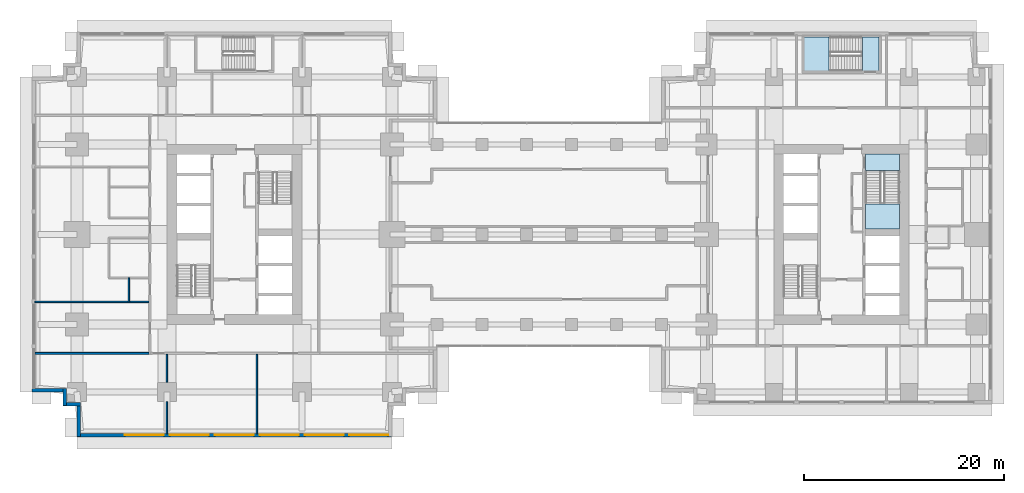
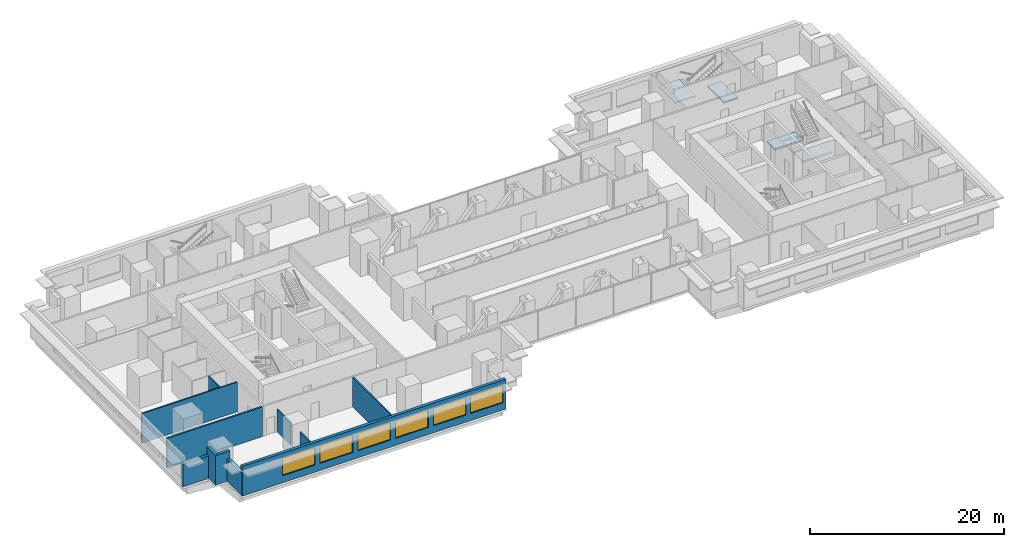
# One storey, part 6 of 15: 11 walls, 6 windows, 4 slabs, 6 openings, 2 elements without a shape of their own.
"""IFC4 building model written with IfcOpenShell, lengths in metres."""

from ifc_helpers import new_model, si_unit, direction, frame, frame_2d, origin, place, context, subcontext, project, spatial, polyline, rectangle, outline, extrude, material, layer, layer_set, type_object, element, fill, aggregate, save


model = new_model("IFC4")

# Units and contexts
model_context = context("Model", 3, precision=1e-05, world=origin(), true_north=direction((0.0, 1.0)))
body_context = subcontext(model_context, "Body", "Model", "MODEL_VIEW")
ifc_project = project(units=[si_unit("LENGTHUNIT", "METRE"), si_unit("AREAUNIT", "SQUARE_METRE"), si_unit("VOLUMEUNIT", "CUBIC_METRE"), si_unit("PLANEANGLEUNIT", "RADIAN"), si_unit("MASSUNIT", "GRAM", prefix="KILO")], contexts=[model_context])

# Site, building, storey
site_placement = place(None, origin())
site = spatial("IfcSite", under=ifc_project, at=site_placement, CompositionType="ELEMENT")
building_placement = place(site_placement, origin())
building = spatial("IfcBuilding", under=site, at=building_placement, Name="Namib Vertical Campus", CompositionType="ELEMENT")
storey_placement = place(building_placement, frame((0.0, 0.0, 109.0)))
storey = spatial("IfcBuildingStorey", under=building, at=storey_placement, Name="L25", CompositionType="ELEMENT", Elevation=109.0)

# Stair, slabs
ifc_material_1 = material(Name="Concrete C40/50 precast", Category="concrete")
stair_type = type_object("IfcStairType", Name="Exit stair 4000 rise 24 risers 3400 wide", PredefinedType="HALF_TURN_STAIR", material=ifc_material_1)
stair_1_placement = place(storey_placement, origin())
stair_1 = element("IfcStair", 1, at=stair_1_placement, inside=storey, type_object=stair_type, Name="Exit stair B-S2 L25", PredefinedType="HALF_TURN_STAIR")
ifc_material_2 = material(Name="Concrete C40/50", Category="concrete")
ifc_layer_1 = layer(ifc_material_2, 0.199951171875)
ifc_layer_set_1 = layer_set([ifc_layer_1], Name="Concrete C40/50")
slab_type = type_object("IfcSlabType", Name="Stair landing 200", PredefinedType="LANDING", material=ifc_layer_set_1)
slab_1_placement = place(storey_placement, frame((0.0, 0.0, -0.199951171875)))
slab_1 = element("IfcSlab", 2, at=slab_1_placement, type_object=slab_type, Name="B-S2 landing 1", PredefinedType="LANDING", context=body_context, shape_type="SweptSolid", body=[
    extrude(outline(polyline([(83.39990234375, 26.64599609375), (86.800048828125, 26.64599609375), (86.800048828125, 28.300048828125), (83.39990234375, 28.300048828125), (83.39990234375, 26.64599609375)])), origin(), (0.0, 0.0, 1.0), 0.199951171875),
])
slab_2_placement = place(storey_placement, frame((0.0, 0.0, 1.800048828125)))
slab_2 = element("IfcSlab", 3, at=slab_2_placement, type_object=slab_type, Name="B-S2 landing 2", PredefinedType="LANDING", context=body_context, shape_type="SweptSolid", body=[
    extrude(outline(polyline([(83.39990234375, 20.800048828125), (86.800048828125, 20.800048828125), (86.800048828125, 23.27392578125), (83.39990234375, 23.27392578125), (83.39990234375, 20.800048828125)])), origin(), (0.0, 0.0, 1.0), 0.199951171875),
])
aggregate(stair_1, [slab_1, slab_2])

stair_2_placement = place(storey_placement, origin())
stair_2 = element("IfcStair", 4, at=stair_2_placement, inside=storey, type_object=stair_type, Name="Exit stair B-S3 L25", PredefinedType="HALF_TURN_STAIR")
slab_3_placement = place(storey_placement, frame((0.0, 0.0, -0.199951171875)))
slab_3 = element("IfcSlab", 5, at=slab_3_placement, type_object=slab_type, Name="B-S3 landing 1", PredefinedType="LANDING", context=body_context, shape_type="SweptSolid", body=[
    extrude(outline(polyline([(83.09619140625, 36.60009765625), (83.09619140625, 40.0), (84.75, 40.0), (84.75, 36.60009765625), (83.09619140625, 36.60009765625)])), origin(), (0.0, 0.0, 1.0), 0.199951171875),
])
slab_4_placement = place(storey_placement, frame((0.0, 0.0, 1.800048828125)))
slab_4 = element("IfcSlab", 6, at=slab_4_placement, type_object=slab_type, Name="B-S3 landing 2", PredefinedType="LANDING", context=body_context, shape_type="SweptSolid", body=[
    extrude(outline(polyline([(77.25, 36.60009765625), (77.25, 40.0), (79.723876953125, 40.0), (79.723876953125, 36.60009765625), (77.25, 36.60009765625)])), origin(), (0.0, 0.0, 1.0), 0.199951171875),
])
aggregate(stair_2, [slab_3, slab_4])

# Walls
ifc_material_3 = material(Name="Concrete masonry", Category="masonry")
ifc_layer_2 = layer(ifc_material_3, 0.199951171875)
ifc_layer_set_2 = layer_set([ifc_layer_2], Name="Corridor wall 200")
wall_type_1 = type_object("IfcWallType", Name="Corridor wall 200", PredefinedType="SOLIDWALL", material=ifc_layer_set_2)
wall_1_placement = place(storey_placement, frame((0.300048828125, 8.35009765625, 0.0), z_axis=(0.0, 0.0, 1.0), x_axis=(1.0, 0.0, 0.0)))
element("IfcWall", 7, at=wall_1_placement, inside=storey, type_object=wall_type_1, Name="Partition A L25 BSW", PredefinedType="SOLIDWALL", context=body_context, shape_type="SweptSolid", body=[
    extrude(rectangle(XDim=11.39990234375, YDim=0.199951171875, at=frame_2d((5.699951171875, 0.0))), origin(), (0.0, 0.0, 1.0), 3.75),
])
ifc_material_4 = material(Name="Concrete C40/50", Category="concrete")
ifc_layer_3 = layer(ifc_material_4, 0.35009765625)
ifc_layer_set_3 = layer_set([ifc_layer_3], Name="Concrete C40/50")
wall_type_2 = type_object("IfcWallType", Name="External wall 350 bush-hammered concrete", PredefinedType="STANDARD", material=ifc_layer_set_3)
wall_2_placement = place(storey_placement, frame((4.675048828125, 3.429931640625, 0.0), z_axis=(0.0, 0.0, 1.0), x_axis=(0.0, -1.0, 0.0)))
element("IfcWall", 8, at=wall_2_placement, inside=storey, type_object=wall_type_2, Name="External wall L25 F01", PredefinedType="STANDARD", context=body_context, shape_type="SweptSolid", body=[
    extrude(rectangle(XDim=3.409912109375, YDim=0.35009765625, at=frame_2d((1.705078125, 0.0))), origin(), (0.0, 0.0, 1.0), 2.85009765625),
])

# Wall, openings, windows
wall_3_placement = place(storey_placement, frame((4.52001953125, 0.175048828125, 0.0), z_axis=(0.0, 0.0, 1.0), x_axis=(1.0, 0.0, 0.0)))
wall_3 = element("IfcWall", 9, at=wall_3_placement, inside=storey, type_object=wall_type_2, Name="External wall L25 F02", PredefinedType="STANDARD", context=body_context, shape_type="SweptSolid", body=[
    extrude(rectangle(XDim=31.4599609375, YDim=0.35009765625, at=frame_2d((15.72998046875, 0.0))), origin(), (0.0, 0.0, 1.0), 3.75),
])
opening_1_placement = place(wall_3_placement, frame((4.780029296875, 0.0, 0.89990234375)))
opening_1 = element("IfcOpeningElement", 10, at=opening_1_placement, cuts=wall_3, Name="Opening W1", PredefinedType="OPENING", context=body_context, shape_type="SweptSolid", body=[
    extrude(rectangle(XDim=3.89990234375, YDim=2.199951171875, at=frame_2d((1.949951171875, 1.10009765625))), frame((0.0, 0.18505859375, 0.0), z_axis=(0.0, -1.0, 0.0), x_axis=(1.0, 0.0, 0.0)), (0.0, 0.0, 1.0), 0.3701171875),
])
opening_2_placement = place(wall_3_placement, frame((9.280029296875, 0.0, 0.89990234375)))
opening_2 = element("IfcOpeningElement", 11, at=opening_2_placement, cuts=wall_3, Name="Opening W1", PredefinedType="OPENING", context=body_context, shape_type="SweptSolid", body=[
    extrude(rectangle(XDim=3.89990234375, YDim=2.199951171875, at=frame_2d((1.949951171875, 1.10009765625))), frame((0.0, 0.18505859375, 0.0), z_axis=(0.0, -1.0, 0.0), x_axis=(1.0, 0.0, 0.0)), (0.0, 0.0, 1.0), 0.3701171875),
])
opening_3_placement = place(wall_3_placement, frame((13.780029296875, 0.0, 0.89990234375)))
opening_3 = element("IfcOpeningElement", 12, at=opening_3_placement, cuts=wall_3, Name="Opening W1", PredefinedType="OPENING", context=body_context, shape_type="SweptSolid", body=[
    extrude(rectangle(XDim=3.89990234375, YDim=2.199951171875, at=frame_2d((1.949951171875, 1.10009765625))), frame((0.0, 0.18505859375, 0.0), z_axis=(0.0, -1.0, 0.0), x_axis=(1.0, 0.0, 0.0)), (0.0, 0.0, 1.0), 0.3701171875),
])
opening_4_placement = place(wall_3_placement, frame((18.280029296875, 0.0, 0.89990234375)))
opening_4 = element("IfcOpeningElement", 13, at=opening_4_placement, cuts=wall_3, Name="Opening W1", PredefinedType="OPENING", context=body_context, shape_type="SweptSolid", body=[
    extrude(rectangle(XDim=3.89990234375, YDim=2.199951171875, at=frame_2d((1.949951171875, 1.10009765625))), frame((0.0, 0.18505859375, 0.0), z_axis=(0.0, -1.0, 0.0), x_axis=(1.0, 0.0, 0.0)), (0.0, 0.0, 1.0), 0.3701171875),
])
opening_5_placement = place(wall_3_placement, frame((22.780029296875, 0.0, 0.89990234375)))
opening_5 = element("IfcOpeningElement", 14, at=opening_5_placement, cuts=wall_3, Name="Opening W1", PredefinedType="OPENING", context=body_context, shape_type="SweptSolid", body=[
    extrude(rectangle(XDim=3.89990234375, YDim=2.199951171875, at=frame_2d((1.949951171875, 1.10009765625))), frame((0.0, 0.18505859375, 0.0), z_axis=(0.0, -1.0, 0.0), x_axis=(1.0, 0.0, 0.0)), (0.0, 0.0, 1.0), 0.3701171875),
])
opening_6_placement = place(wall_3_placement, frame((27.2099609375, 0.0, 0.89990234375)))
opening_6 = element("IfcOpeningElement", 15, at=opening_6_placement, cuts=wall_3, Name="Opening W1", PredefinedType="OPENING", context=body_context, shape_type="SweptSolid", body=[
    extrude(rectangle(XDim=3.89990234375, YDim=2.199951171875, at=frame_2d((1.949951171875, 1.10009765625))), frame((0.0, 0.18505859375, 0.0), z_axis=(0.0, -1.0, 0.0), x_axis=(1.0, 0.0, 0.0)), (0.0, 0.0, 1.0), 0.3701171875),
])
ifc_material_5 = material(Name="Dark tinted glass in black aluminium frame", Category="aluminium")
window_type = type_object("IfcWindowType", Name="Ribbon window 3900x2200", PartitioningType="SINGLE_PANEL", PredefinedType="WINDOW", material=ifc_material_5)
window_1_placement = place(opening_1_placement, origin())
window_1 = element("IfcWindow", 16, at=window_1_placement, inside=storey, type_object=window_type, Name="Window W1 L25 F02-2", OverallHeight=2.199951171875, OverallWidth=3.89990234375, PartitioningType="SINGLE_PANEL", PredefinedType="WINDOW", context=body_context, shape_type="SweptSolid", body=[
    extrude(rectangle(XDim=3.89990234375, YDim=2.199951171875, at=frame_2d((1.949951171875, 1.10009765625))), frame((0.0, 0.030029296875, 0.0), z_axis=(0.0, -1.0, 0.0), x_axis=(1.0, 0.0, 0.0)), (0.0, 0.0, 1.0), 0.06005859375),
])
fill(opening_1, window_1)
window_2_placement = place(opening_2_placement, origin())
window_2 = element("IfcWindow", 17, at=window_2_placement, inside=storey, type_object=window_type, Name="Window W1 L25 F02-3", OverallHeight=2.199951171875, OverallWidth=3.89990234375, PartitioningType="SINGLE_PANEL", PredefinedType="WINDOW", context=body_context, shape_type="SweptSolid", body=[
    extrude(rectangle(XDim=3.89990234375, YDim=2.199951171875, at=frame_2d((1.949951171875, 1.10009765625))), frame((0.0, 0.030029296875, 0.0), z_axis=(0.0, -1.0, 0.0), x_axis=(1.0, 0.0, 0.0)), (0.0, 0.0, 1.0), 0.06005859375),
])
fill(opening_2, window_2)
window_3_placement = place(opening_3_placement, origin())
window_3 = element("IfcWindow", 18, at=window_3_placement, inside=storey, type_object=window_type, Name="Window W1 L25 F02-4", OverallHeight=2.199951171875, OverallWidth=3.89990234375, PartitioningType="SINGLE_PANEL", PredefinedType="WINDOW", context=body_context, shape_type="SweptSolid", body=[
    extrude(rectangle(XDim=3.89990234375, YDim=2.199951171875, at=frame_2d((1.949951171875, 1.10009765625))), frame((0.0, 0.030029296875, 0.0), z_axis=(0.0, -1.0, 0.0), x_axis=(1.0, 0.0, 0.0)), (0.0, 0.0, 1.0), 0.06005859375),
])
fill(opening_3, window_3)
window_4_placement = place(opening_4_placement, origin())
window_4 = element("IfcWindow", 19, at=window_4_placement, inside=storey, type_object=window_type, Name="Window W1 L25 F02-5", OverallHeight=2.199951171875, OverallWidth=3.89990234375, PartitioningType="SINGLE_PANEL", PredefinedType="WINDOW", context=body_context, shape_type="SweptSolid", body=[
    extrude(rectangle(XDim=3.89990234375, YDim=2.199951171875, at=frame_2d((1.949951171875, 1.10009765625))), frame((0.0, 0.030029296875, 0.0), z_axis=(0.0, -1.0, 0.0), x_axis=(1.0, 0.0, 0.0)), (0.0, 0.0, 1.0), 0.06005859375),
])
fill(opening_4, window_4)
window_5_placement = place(opening_5_placement, origin())
window_5 = element("IfcWindow", 20, at=window_5_placement, inside=storey, type_object=window_type, Name="Window W1 L25 F02-6", OverallHeight=2.199951171875, OverallWidth=3.89990234375, PartitioningType="SINGLE_PANEL", PredefinedType="WINDOW", context=body_context, shape_type="SweptSolid", body=[
    extrude(rectangle(XDim=3.89990234375, YDim=2.199951171875, at=frame_2d((1.949951171875, 1.10009765625))), frame((0.0, 0.030029296875, 0.0), z_axis=(0.0, -1.0, 0.0), x_axis=(1.0, 0.0, 0.0)), (0.0, 0.0, 1.0), 0.06005859375),
])
fill(opening_5, window_5)
window_6_placement = place(opening_6_placement, origin())
window_6 = element("IfcWindow", 21, at=window_6_placement, inside=storey, type_object=window_type, Name="Window W1 L25 F02-7", OverallHeight=2.199951171875, OverallWidth=3.89990234375, PartitioningType="SINGLE_PANEL", PredefinedType="WINDOW", context=body_context, shape_type="SweptSolid", body=[
    extrude(rectangle(XDim=3.89990234375, YDim=2.199951171875, at=frame_2d((1.949951171875, 1.10009765625))), frame((0.0, 0.030029296875, 0.0), z_axis=(0.0, -1.0, 0.0), x_axis=(1.0, 0.0, 0.0)), (0.0, 0.0, 1.0), 0.06005859375),
])
fill(opening_6, window_6)

# Walls
wall_4_placement = place(storey_placement, frame((0.02001953125, 4.675048828125, 0.0), z_axis=(0.0, 0.0, 1.0), x_axis=(1.0, 0.0, 0.0)))
element("IfcWall", 22, at=wall_4_placement, inside=storey, type_object=wall_type_2, Name="External wall L25 F22", PredefinedType="STANDARD", context=body_context, shape_type="SweptSolid", body=[
    extrude(rectangle(XDim=3.409912109375, YDim=0.35009765625, at=frame_2d((1.705078125, 0.0))), origin(), (0.0, 0.0, 1.0), 2.85009765625),
])
for number, where, z_axis, x_axis, name in (
    (23, (3.27490234375, 4.830078125, 0.0), (0.0, 0.0, 1.0), (0.0, -1.0, 0.0), "External wall L25 F23"),
    (24, (3.1201171875, 3.27490234375, 0.0), (0.0, 0.0, 1.0), (1.0, 0.0, 0.0), "External wall L25 F24"),
):
    element("IfcWall", number, at=place(storey_placement, frame(where, z_axis=z_axis, x_axis=x_axis)), inside=storey, type_object=wall_type_2, Name=name, PredefinedType="STANDARD", context=body_context, shape_type="SweptSolid", body=[
        extrude(rectangle(XDim=1.7099609375, YDim=0.35009765625, at=frame_2d((0.85498046875, 0.0))), origin(), (0.0, 0.0, 1.0), 3.75),
    ])
ifc_material_6 = material(Name="Gypsum board on steel studs", Category="steel")
ifc_layer_4 = layer(ifc_material_6, 0.14990234375)
ifc_layer_set_4 = layer_set([ifc_layer_4], Name="Gypsum board on steel studs")
wall_type_3 = type_object("IfcWallType", Name="Partition 150", PredefinedType="PARTITIONING", material=ifc_layer_set_4)
wall_5_placement = place(storey_placement, frame((13.5, 0.300048828125, 0.0), z_axis=(0.0, 0.0, 1.0), x_axis=(0.0, 1.0, 0.0)))
element("IfcWall", 25, at=wall_5_placement, inside=storey, type_object=wall_type_3, Name="Partition A L25 PS1", PredefinedType="PARTITIONING", context=body_context, shape_type="SweptSolid", body=[
    extrude(rectangle(XDim=3.22998046875, YDim=0.14990234375, at=frame_2d((1.614990234375, 0.0))), origin(), (0.0, 0.0, 1.0), 2.85009765625),
])
wall_6_placement = place(storey_placement, frame((13.5, 5.469970703125, 0.0), z_axis=(0.0, 0.0, 1.0), x_axis=(0.0, 1.0, 0.0)))
element("IfcWall", 26, at=wall_6_placement, inside=storey, type_object=wall_type_3, Name="Partition A L25 PS1", PredefinedType="PARTITIONING", context=body_context, shape_type="SweptSolid", body=[
    extrude(rectangle(XDim=2.780029296875, YDim=0.14990234375, at=frame_2d((1.39013671875, 0.0))), origin(), (0.0, 0.0, 1.0), 2.85009765625),
])
wall_7_placement = place(storey_placement, frame((22.5, 0.300048828125, 0.0), z_axis=(0.0, 0.0, 1.0), x_axis=(0.0, 1.0, 0.0)))
element("IfcWall", 27, at=wall_7_placement, inside=storey, type_object=wall_type_3, Name="Partition A L25 PS2", PredefinedType="PARTITIONING", context=body_context, shape_type="SweptSolid", body=[
    extrude(rectangle(XDim=7.949951171875, YDim=0.14990234375, at=frame_2d((3.97509765625, 0.0))), origin(), (0.0, 0.0, 1.0), 3.75),
])
wall_8_placement = place(storey_placement, frame((0.300048828125, 13.5, 0.0), z_axis=(0.0, 0.0, 1.0), x_axis=(1.0, 0.0, 0.0)))
element("IfcWall", 28, at=wall_8_placement, inside=storey, type_object=wall_type_3, Name="Partition A L25 PW1", PredefinedType="PARTITIONING", context=body_context, shape_type="SweptSolid", body=[
    extrude(rectangle(XDim=11.39990234375, YDim=0.14990234375, at=frame_2d((5.699951171875, 0.0))), origin(), (0.0, 0.0, 1.0), 3.75),
])
wall_9_placement = place(storey_placement, frame((9.699951171875, 13.5, 0.0), z_axis=(0.0, 0.0, 1.0), x_axis=(0.0, 1.0, 0.0)))
element("IfcWall", 29, at=wall_9_placement, inside=storey, type_object=wall_type_3, Name="Partition A L25 WB1", PredefinedType="PARTITIONING", context=body_context, shape_type="SweptSolid", body=[
    extrude(rectangle(XDim=2.39990234375, YDim=0.14990234375, at=frame_2d((1.199951171875, 0.0))), origin(), (0.0, 0.0, 1.0), 3.75),
])

save(model, "model.ifc")
